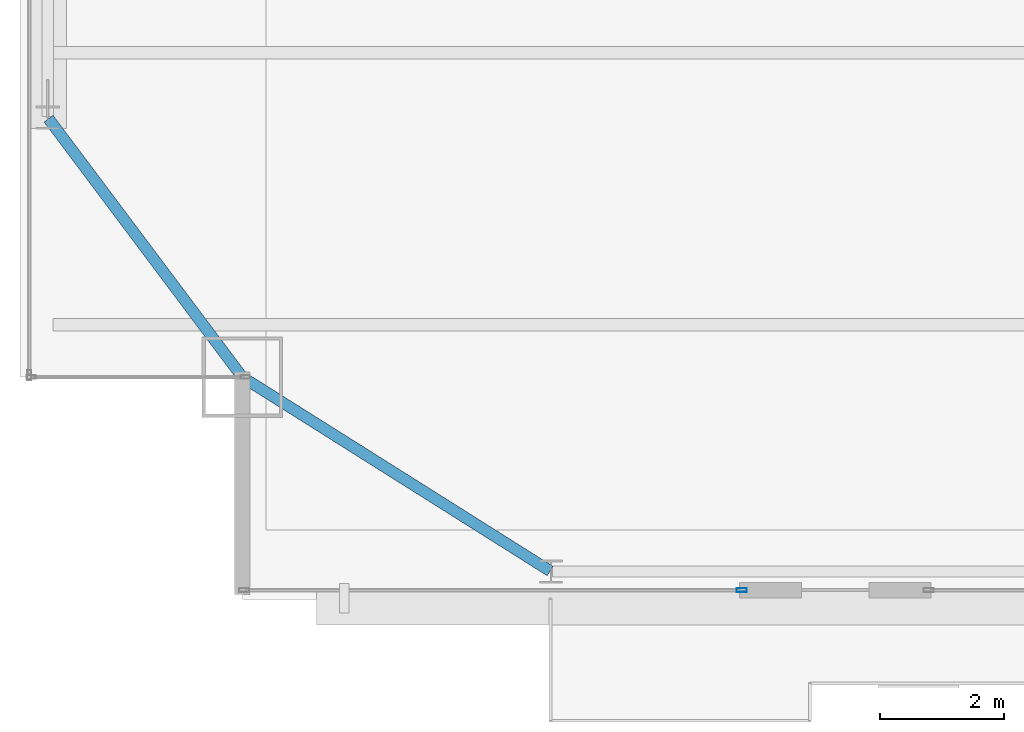
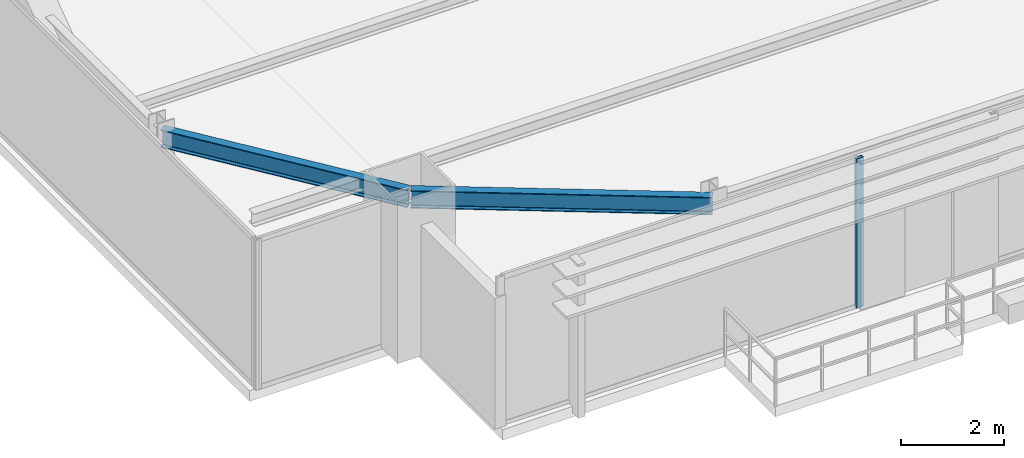
# One storey, part 5 of 34: 2 beams, 1 member, 1 element without a shape of its own.
"""IFC4 building model written with IfcOpenShell, lengths in metres."""

from ifc_helpers import new_model, si_unit, direction, frame, origin, origin_2d, place, context, subcontext, project, spatial, hollow_rectangle, i_section, extrude, source, transform, mapped, material, layer, layer_set, material_profile, profile_set, type_object, type_shapes, element, aggregate, save


model = new_model("IFC4")

# Units and contexts
model_context = context("Model", 3, precision=1e-05, world=origin(), true_north=direction((0.0, 1.0)))
body_context = subcontext(model_context, "Body", "Model", "MODEL_VIEW")
ifc_project = project(units=[si_unit("LENGTHUNIT", "METRE"), si_unit("AREAUNIT", "SQUARE_METRE"), si_unit("VOLUMEUNIT", "CUBIC_METRE"), si_unit("PLANEANGLEUNIT", "RADIAN"), si_unit("MASSUNIT", "GRAM", prefix="KILO")], contexts=[model_context])

# Site, building, storey
site_placement = place(None, origin())
site = spatial("IfcSite", under=ifc_project, at=site_placement, CompositionType="ELEMENT")
building_placement = place(site_placement, origin())
building = spatial("IfcBuilding", under=site, at=building_placement, Name="Varnel Quay Broadcast Tower", CompositionType="ELEMENT")
storey_placement = place(building_placement, frame((0.0, 0.0, 161.0)))
storey = spatial("IfcBuildingStorey", under=building, at=storey_placement, Name="L39", CompositionType="ELEMENT", Elevation=161.0)

# Beams
ifc_material_1 = material(Name="Structural Steel CSA G40.21 350W", Category="steel")
ifc_material_profile_1 = material_profile(ifc_material_1, i_section(OverallWidth=0.180908203125, OverallDepth=0.4169921875, WebThickness=0.010986328125, FlangeThickness=0.018310546875, FilletRadius=0.011962890625, at=origin_2d()), Name="W410X85")
ifc_profile_set_1 = profile_set([ifc_material_profile_1], Name="Structural Steel CSA G40.21 350W")
beam_type = type_object("IfcBeamType", Name="Beam_W410X85", PredefinedType="SPANDREL", material=ifc_profile_set_1)
shared_shape_1 = source(origin(), body_context, "Body", "SweptSolid", [
    extrude(i_section(OverallWidth=0.180908203125, OverallDepth=0.4169921875, WebThickness=0.010986328125, FlangeThickness=0.018310546875, FilletRadius=0.011962890625, at=origin_2d()), origin(), (0.0, 0.0, 1.0), 5.869384765625),
])
beam_1_placement = place(storey_placement, frame((10.616943359375, 10.789306640625, 3.341552734375), z_axis=(0.846088328928, -0.533042718412, 0.0), x_axis=(0.533042718412, 0.846088328928, 0.0)))
element("IfcBeam", 1, at=beam_1_placement, inside=storey, type_object=beam_type, Name="L39 South Spandrel MC-SW-TC-S1", PredefinedType="SPANDREL", context=body_context, shape_type="MappedRepresentation", body=[
    mapped(shared_shape_1, transform((0.0, 0.0, 0.0), x_axis=(1.0, 0.0, 0.0), y_axis=(0.0, 1.0, 0.0), z_axis=(0.0, 0.0, 1.0), scale=1.0)),
])
shared_shape_2 = source(origin(), body_context, "Body", "SweptSolid", [
    extrude(i_section(OverallWidth=0.180908203125, OverallDepth=0.4169921875, WebThickness=0.010986328125, FlangeThickness=0.018310546875, FilletRadius=0.011962890625, at=origin_2d()), origin(), (0.0, 0.0, 1.0), 5.2099609375),
])
type_shapes(beam_type, [shared_shape_1, shared_shape_2])
beam_2_placement = place(storey_placement, frame((10.587890625, 10.81591796875, 3.341552734375), z_axis=(-0.6, 0.8, 0.0), x_axis=(-0.8, -0.6, 0.0)))
element("IfcBeam", 2, at=beam_2_placement, inside=storey, type_object=beam_type, Name="L39 West Spandrel MC-SW-TC-W1", PredefinedType="SPANDREL", context=body_context, shape_type="MappedRepresentation", body=[
    mapped(shared_shape_2, transform((0.0, 0.0, 0.0), x_axis=(1.0, 0.0, 0.0), y_axis=(0.0, 1.0, 0.0), z_axis=(0.0, 0.0, 1.0), scale=1.0)),
])

# Curtain wall, member
ifc_material_2 = material(Name="Anodised Bronze Aluminium 6063-T6", Category="aluminium")
ifc_layer = layer(ifc_material_2, 0.18994140625, Name="Anodised Bronze Aluminium 6063-T6")
ifc_layer_set = layer_set([ifc_layer], Name="Anodised Bronze Aluminium 6063-T6")
curtain_wall_type = type_object("IfcCurtainWallType", Name="CW_UpperTower", PredefinedType="NOTDEFINED", material=ifc_layer_set)
curtain_wall_placement = place(storey_placement, origin())
curtain_wall = element("IfcCurtainWall", 3, at=curtain_wall_placement, inside=storey, type_object=curtain_wall_type, Name="L39 South Unitised Curtain Wall 1", PredefinedType="NOTDEFINED")
ifc_material_profile_2 = material_profile(ifc_material_2, hollow_rectangle(XDim=0.06494140625, YDim=0.1650390625, WallThickness=0.00341796875, at=origin_2d()), Name="ALU65X165X3.5")
ifc_profile_set_2 = profile_set([ifc_material_profile_2], Name="Anodised Bronze Aluminium 6063-T6")
member_type = type_object("IfcMemberType", Name="Mull_CWS-03", PredefinedType="MULLION", material=ifc_profile_set_2)
shared_shape_3 = source(origin(), body_context, "Body", "SweptSolid", [
    extrude(hollow_rectangle(XDim=0.06494140625, YDim=0.1650390625, WallThickness=0.00341796875, at=origin_2d()), origin(), (0.0, 0.0, 1.0), 3.550048828125),
])
type_shapes(member_type, [shared_shape_3])
member_placement = place(storey_placement, frame((18.6875, 7.35009765625, 0.0), z_axis=(0.0, 0.0, 1.0), x_axis=(0.0, 1.0, 0.0)))
member = element("IfcMember", 4, at=member_placement, type_object=member_type, Name="CWS-03 mullion 2", PredefinedType="MULLION", context=body_context, shape_type="MappedRepresentation", body=[
    mapped(shared_shape_3, transform((0.0, 0.0, 0.0), x_axis=(1.0, 0.0, 0.0), y_axis=(0.0, 1.0, 0.0), z_axis=(0.0, 0.0, 1.0), scale=1.0)),
])
aggregate(curtain_wall, [member])

save(model, "model.ifc")
